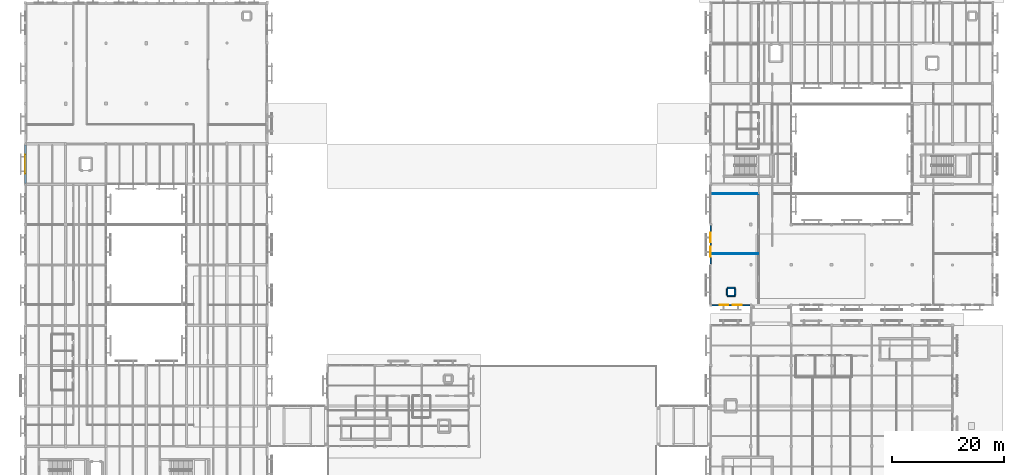
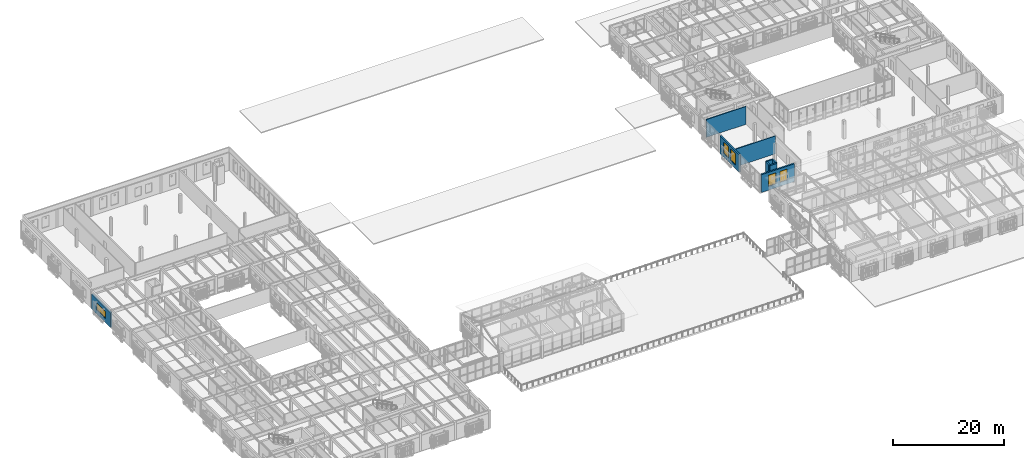
# One storey, part 83 of 112: 9 walls, 5 windows, 5 openings.
"""IFC4 building model written with IfcOpenShell, lengths in metres."""

from ifc_helpers import new_model, si_unit, direction, frame, frame_2d, origin, place, context, subcontext, project, spatial, rectangle, extrude, material, layer, layer_set, type_object, element, fill, save


model = new_model("IFC4")

# Units and contexts
model_context = context("Model", 3, precision=1e-05, world=origin(), true_north=direction((0.0, 1.0)))
body_context = subcontext(model_context, "Body", "Model", "MODEL_VIEW")
ifc_project = project(units=[si_unit("LENGTHUNIT", "METRE"), si_unit("AREAUNIT", "SQUARE_METRE"), si_unit("VOLUMEUNIT", "CUBIC_METRE"), si_unit("PLANEANGLEUNIT", "RADIAN"), si_unit("MASSUNIT", "GRAM", prefix="KILO")], contexts=[model_context])

# Site, building, storey
site_placement = place(None, origin())
site = spatial("IfcSite", under=ifc_project, at=site_placement, CompositionType="ELEMENT")
building_placement = place(site_placement, origin())
building = spatial("IfcBuilding", under=site, at=building_placement, Name="Mazaris Harbour Polytechnic", CompositionType="ELEMENT")
storey_placement = place(building_placement, frame((0.0, 0.0, 13.800048828125)))
storey = spatial("IfcBuildingStorey", under=building, at=storey_placement, Name="L03", CompositionType="ELEMENT", Elevation=13.800048828125)

# Walls
ifc_material_1 = material(Name="Double Gypsum and Mineral Wool")
ifc_layer_1 = layer(ifc_material_1, 0.14990234375, Name="Double Gypsum and Mineral Wool")
ifc_layer_set_1 = layer_set([ifc_layer_1], Name="Double Gypsum and Mineral Wool")
wall_type_1 = type_object("IfcWallType", Name="Classroom Acoustic Partition 150", PredefinedType="PARTITIONING", material=ifc_layer_set_1)
wall_1_placement = place(storey_placement, frame((122.64990234375, 56.0, 0.0), z_axis=(0.0, 0.0, 1.0), x_axis=(1.0, 0.0, 0.0)))
element("IfcWall", 1, at=wall_1_placement, inside=storey, type_object=wall_type_1, Name="V5 L03 Partition 634", PredefinedType="PARTITIONING", context=body_context, shape_type="SweptSolid", body=[
    extrude(rectangle(XDim=8.22998046875, YDim=0.14990234375, at=frame_2d((4.114990234375, 0.0))), origin(), (0.0, 0.0, 1.0), 3.93505859375),
])
ifc_material_2 = material(Name="Fireboard and Mineral Wool")
ifc_layer_2 = layer(ifc_material_2, 0.1650390625, Name="Fireboard and Mineral Wool")
ifc_layer_set_2 = layer_set([ifc_layer_2], Name="Fireboard and Mineral Wool")
wall_type_2 = type_object("IfcWallType", Name="Laboratory Rated Partition 165", PredefinedType="PARTITIONING", material=ifc_layer_set_2)
wall_2_placement = place(storey_placement, frame((122.64990234375, 66.679931640625, 0.0), z_axis=(0.0, 0.0, 1.0), x_axis=(1.0, 0.0, 0.0)))
element("IfcWall", 2, at=wall_2_placement, inside=storey, type_object=wall_type_2, Name="V5 L03 Partition 636", PredefinedType="PARTITIONING", context=body_context, shape_type="SweptSolid", body=[
    extrude(rectangle(XDim=8.22998046875, YDim=0.1650390625, at=frame_2d((4.114990234375, 0.0))), origin(), (0.0, 0.0, 1.0), 3.93505859375),
])

# Wall, opening, window
ifc_material_3 = material(Name="Algerian Buff Limestone and Concrete C30/37", Category="masonry")
ifc_layer_3 = layer(ifc_material_3, 0.360107421875, Name="Algerian Buff Limestone and Concrete C30/37")
ifc_layer_set_3 = layer_set([ifc_layer_3], Name="Algerian Buff Limestone and Concrete C30/37")
wall_type_3 = type_object("IfcWallType", Name="Limestone Ashlar Exterior Wall 360", PredefinedType="STANDARD", material=ifc_layer_set_3)
wall_3_placement = place(storey_placement, frame((0.0, 68.56201171875, 0.0), z_axis=(0.0, 0.0, 1.0), x_axis=(0.0, 1.0, 0.0)))
wall_3 = element("IfcWall", 3, at=wall_3_placement, inside=storey, type_object=wall_type_3, Name="V4 L03 Exterior Wall 236", PredefinedType="STANDARD", context=body_context, shape_type="SweptSolid", body=[
    extrude(rectangle(XDim=6.85595703125, YDim=0.360107421875, at=frame_2d((3.427978515625, 0.0))), origin(), (0.0, 0.0, 1.0), 3.239990234375),
])
opening_1_placement = place(wall_3_placement, frame((1.72802734375, 0.0, 0.89990234375)))
opening_1 = element("IfcOpeningElement", 4, at=opening_1_placement, cuts=wall_3, Name="Opening WN-16", PredefinedType="OPENING", context=body_context, shape_type="SweptSolid", body=[
    extrude(rectangle(XDim=3.39990234375, YDim=1.5, at=frame_2d((1.699951171875, 0.75))), frame((0.0, 0.18994140625, 0.0), z_axis=(0.0, -1.0, 0.0), x_axis=(1.0, 0.0, 0.0)), (0.0, 0.0, 1.0), 0.380126953125),
])
ifc_material_4 = material(Name="Thermally Broken Bronze Aluminium and Low-E Glass", Category="aluminium")
window_type_1 = type_object("IfcWindowType", Name="Workshop Clerestory Ribbon 3400x1500", PartitioningType="DOUBLE_PANEL_VERTICAL", PredefinedType="WINDOW", material=ifc_material_4)
window_1_placement = place(opening_1_placement, origin())
window_1 = element("IfcWindow", 5, at=window_1_placement, inside=storey, type_object=window_type_1, Name="WN-0246", OverallHeight=1.5, OverallWidth=3.39990234375, PartitioningType="DOUBLE_PANEL_VERTICAL", PredefinedType="WINDOW", context=body_context, shape_type="SweptSolid", body=[
    extrude(rectangle(XDim=3.39990234375, YDim=1.5, at=frame_2d((1.699951171875, 0.75))), frame((0.0, 0.030029296875, 0.0), z_axis=(0.0, -1.0, 0.0), x_axis=(1.0, 0.0, 0.0)), (0.0, 0.0, 1.0), 0.06005859375),
])
fill(opening_1, window_1)

# Wall, openings, windows
ifc_material_5 = material(Name="Algerian Buff Limestone and Mineral Wool", Category="masonry")
ifc_layer_4 = layer(ifc_material_5, 0.31005859375, Name="Algerian Buff Limestone and Mineral Wool")
ifc_layer_set_4 = layer_set([ifc_layer_4], Name="Algerian Buff Limestone and Mineral Wool")
wall_type_4 = type_object("IfcWallType", Name="Limestone Studio Wall 310", PredefinedType="STANDARD", material=ifc_layer_set_4)
wall_4_placement = place(storey_placement, frame((129.41796875, 46.800048828125, 0.0), z_axis=(0.0, 0.0, 1.0), x_axis=(-1.0, 0.0, 0.0)))
wall_4 = element("IfcWall", 6, at=wall_4_placement, inside=storey, type_object=wall_type_4, Name="V5 L03 Exterior Wall 355", PredefinedType="STANDARD", context=body_context, shape_type="SweptSolid", body=[
    extrude(rectangle(XDim=6.85595703125, YDim=0.31005859375, at=frame_2d((3.427978515625, 0.0))), origin(), (0.0, 0.0, 1.0), 3.93505859375),
])
opening_2_placement = place(wall_4_placement, frame((1.47802734375, 0.0, 0.85009765625)))
opening_2 = element("IfcOpeningElement", 7, at=opening_2_placement, cuts=wall_4, Name="Opening WN-26", PredefinedType="OPENING", context=body_context, shape_type="SweptSolid", body=[
    extrude(rectangle(XDim=1.550048828125, YDim=2.449951171875, at=frame_2d((0.77490234375, 1.22509765625))), frame((0.0, 0.1650390625, 0.0), z_axis=(0.0, -1.0, 0.0), x_axis=(1.0, 0.0, 0.0)), (0.0, 0.0, 1.0), 0.330078125),
])
opening_3_placement = place(wall_4_placement, frame((3.827880859375, 0.0, 0.85009765625)))
opening_3 = element("IfcOpeningElement", 8, at=opening_3_placement, cuts=wall_4, Name="Opening WN-26", PredefinedType="OPENING", context=body_context, shape_type="SweptSolid", body=[
    extrude(rectangle(XDim=1.550048828125, YDim=2.449951171875, at=frame_2d((0.77490234375, 1.22509765625))), frame((0.0, 0.1650390625, 0.0), z_axis=(0.0, -1.0, 0.0), x_axis=(1.0, 0.0, 0.0)), (0.0, 0.0, 1.0), 0.330078125),
])
ifc_material_6 = material(Name="Thermally Broken Bronze Aluminium and Low-E Glass", Category="aluminium")
window_type_2 = type_object("IfcWindowType", Name="Studio Tall Casement 1550x2450", PartitioningType="DOUBLE_PANEL_VERTICAL", PredefinedType="WINDOW", material=ifc_material_6)
window_2_placement = place(opening_2_placement, origin())
window_2 = element("IfcWindow", 9, at=window_2_placement, inside=storey, type_object=window_type_2, Name="WN-0406", OverallHeight=2.449951171875, OverallWidth=1.550048828125, PartitioningType="DOUBLE_PANEL_VERTICAL", PredefinedType="WINDOW", context=body_context, shape_type="SweptSolid", body=[
    extrude(rectangle(XDim=1.550048828125, YDim=2.449951171875, at=frame_2d((0.77490234375, 1.22509765625))), frame((0.0, 0.030029296875, 0.0), z_axis=(0.0, -1.0, 0.0), x_axis=(1.0, 0.0, 0.0)), (0.0, 0.0, 1.0), 0.06005859375),
])
fill(opening_2, window_2)
window_3_placement = place(opening_3_placement, origin())
window_3 = element("IfcWindow", 10, at=window_3_placement, inside=storey, type_object=window_type_2, Name="WN-0407", OverallHeight=2.449951171875, OverallWidth=1.550048828125, PartitioningType="DOUBLE_PANEL_VERTICAL", PredefinedType="WINDOW", context=body_context, shape_type="SweptSolid", body=[
    extrude(rectangle(XDim=1.550048828125, YDim=2.449951171875, at=frame_2d((0.77490234375, 1.22509765625))), frame((0.0, 0.030029296875, 0.0), z_axis=(0.0, -1.0, 0.0), x_axis=(1.0, 0.0, 0.0)), (0.0, 0.0, 1.0), 0.06005859375),
])
fill(opening_3, window_3)

wall_5_placement = place(storey_placement, frame((122.39990234375, 54.181884765625, 0.0), z_axis=(0.0, 0.0, 1.0), x_axis=(0.0, 1.0, 0.0)))
wall_5 = element("IfcWall", 11, at=wall_5_placement, inside=storey, type_object=wall_type_4, Name="V5 L03 Exterior Wall 364", PredefinedType="STANDARD", context=body_context, shape_type="SweptSolid", body=[
    extrude(rectangle(XDim=6.816162109375, YDim=0.31005859375, at=frame_2d((3.408203125, 0.0))), origin(), (0.0, 0.0, 1.0), 3.93505859375),
])
opening_4_placement = place(wall_5_placement, frame((1.258056640625, 0.0, 0.85009765625)))
opening_4 = element("IfcOpeningElement", 12, at=opening_4_placement, cuts=wall_5, Name="Opening WN-27", PredefinedType="OPENING", context=body_context, shape_type="SweptSolid", body=[
    extrude(rectangle(XDim=1.75, YDim=2.449951171875, at=frame_2d((0.875, 1.22509765625))), frame((0.0, 0.1650390625, 0.0), z_axis=(0.0, -1.0, 0.0), x_axis=(1.0, 0.0, 0.0)), (0.0, 0.0, 1.0), 0.330078125),
])
opening_5_placement = place(wall_5_placement, frame((3.80810546875, 0.0, 0.85009765625)))
opening_5 = element("IfcOpeningElement", 13, at=opening_5_placement, cuts=wall_5, Name="Opening WN-27", PredefinedType="OPENING", context=body_context, shape_type="SweptSolid", body=[
    extrude(rectangle(XDim=1.75, YDim=2.449951171875, at=frame_2d((0.875, 1.22509765625))), frame((0.0, 0.1650390625, 0.0), z_axis=(0.0, -1.0, 0.0), x_axis=(1.0, 0.0, 0.0)), (0.0, 0.0, 1.0), 0.330078125),
])
ifc_material_7 = material(Name="Thermally Broken Bronze Aluminium and Low-E Glass", Category="aluminium")
window_type_3 = type_object("IfcWindowType", Name="Studio Tall Casement 1750x2450", PartitioningType="DOUBLE_PANEL_VERTICAL", PredefinedType="WINDOW", material=ifc_material_7)
window_4_placement = place(opening_4_placement, origin())
window_4 = element("IfcWindow", 14, at=window_4_placement, inside=storey, type_object=window_type_3, Name="WN-0422", OverallHeight=2.449951171875, OverallWidth=1.75, PartitioningType="DOUBLE_PANEL_VERTICAL", PredefinedType="WINDOW", context=body_context, shape_type="SweptSolid", body=[
    extrude(rectangle(XDim=1.75, YDim=2.449951171875, at=frame_2d((0.875, 1.22509765625))), frame((0.0, 0.030029296875, 0.0), z_axis=(0.0, -1.0, 0.0), x_axis=(1.0, 0.0, 0.0)), (0.0, 0.0, 1.0), 0.06005859375),
])
fill(opening_4, window_4)
window_5_placement = place(opening_5_placement, origin())
window_5 = element("IfcWindow", 15, at=window_5_placement, inside=storey, type_object=window_type_3, Name="WN-0423", OverallHeight=2.449951171875, OverallWidth=1.75, PartitioningType="DOUBLE_PANEL_VERTICAL", PredefinedType="WINDOW", context=body_context, shape_type="SweptSolid", body=[
    extrude(rectangle(XDim=1.75, YDim=2.449951171875, at=frame_2d((0.875, 1.22509765625))), frame((0.0, 0.030029296875, 0.0), z_axis=(0.0, -1.0, 0.0), x_axis=(1.0, 0.0, 0.0)), (0.0, 0.0, 1.0), 0.06005859375),
])
fill(opening_5, window_5)

# Walls
ifc_material_8 = material(Name="Concrete C40/50", Category="concrete")
ifc_layer_5 = layer(ifc_material_8, 0.300048828125, Name="Concrete C40/50")
ifc_layer_set_5 = layer_set([ifc_layer_5], Name="Concrete C40/50")
wall_type_5 = type_object("IfcWallType", Name="RC Lift Shaft Wall 300", PredefinedType="SHEAR", material=ifc_layer_set_5)
wall_6_placement = place(storey_placement, frame((125.35009765625, 48.449951171875, 0.0), z_axis=(0.0, 0.0, 1.0), x_axis=(1.0, 0.0, 0.0)))
element("IfcWall", 16, at=wall_6_placement, inside=storey, type_object=wall_type_5, Name="V5 L03 Riser Enclosure Wall 1-1", PredefinedType="SHEAR", context=body_context, shape_type="SweptSolid", body=[
    extrude(rectangle(XDim=1.419921875, YDim=0.300048828125, at=frame_2d((0.7099609375, 0.0))), origin(), (0.0, 0.0, 1.0), 3.9599609375),
])
wall_7_placement = place(storey_placement, frame((126.77001953125, 48.610107421875, 0.0), z_axis=(0.0, 0.0, 1.0), x_axis=(0.0, 1.0, 0.0)))
element("IfcWall", 17, at=wall_7_placement, inside=storey, type_object=wall_type_5, Name="V5 L03 Riser Enclosure Wall 1-2", PredefinedType="SHEAR", context=body_context, shape_type="SweptSolid", body=[
    extrude(rectangle(XDim=1.099853515625, YDim=0.300048828125, at=frame_2d((0.5498046875, 0.0))), origin(), (0.0, 0.0, 1.0), 3.9599609375),
])
wall_8_placement = place(storey_placement, frame((126.77001953125, 49.8701171875, 0.0), z_axis=(0.0, 0.0, 1.0), x_axis=(-1.0, 0.0, 0.0)))
element("IfcWall", 18, at=wall_8_placement, inside=storey, type_object=wall_type_5, Name="V5 L03 Riser Enclosure Wall 1-3", PredefinedType="SHEAR", context=body_context, shape_type="SweptSolid", body=[
    extrude(rectangle(XDim=1.419921875, YDim=0.300048828125, at=frame_2d((0.7099609375, 0.0))), origin(), (0.0, 0.0, 1.0), 3.9599609375),
])
wall_9_placement = place(storey_placement, frame((125.35009765625, 49.7099609375, 0.0), z_axis=(0.0, 0.0, 1.0), x_axis=(0.0, -1.0, 0.0)))
element("IfcWall", 19, at=wall_9_placement, inside=storey, type_object=wall_type_5, Name="V5 L03 Riser Enclosure Wall 1-4", PredefinedType="SHEAR", context=body_context, shape_type="SweptSolid", body=[
    extrude(rectangle(XDim=1.099853515625, YDim=0.300048828125, at=frame_2d((0.5498046875, 0.0))), origin(), (0.0, 0.0, 1.0), 3.9599609375),
])

save(model, "model.ifc")
